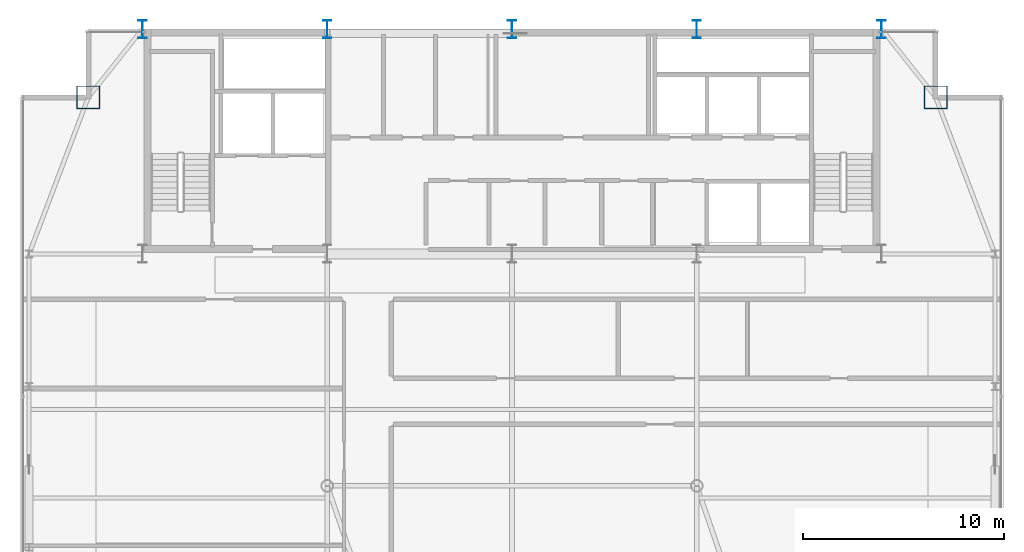
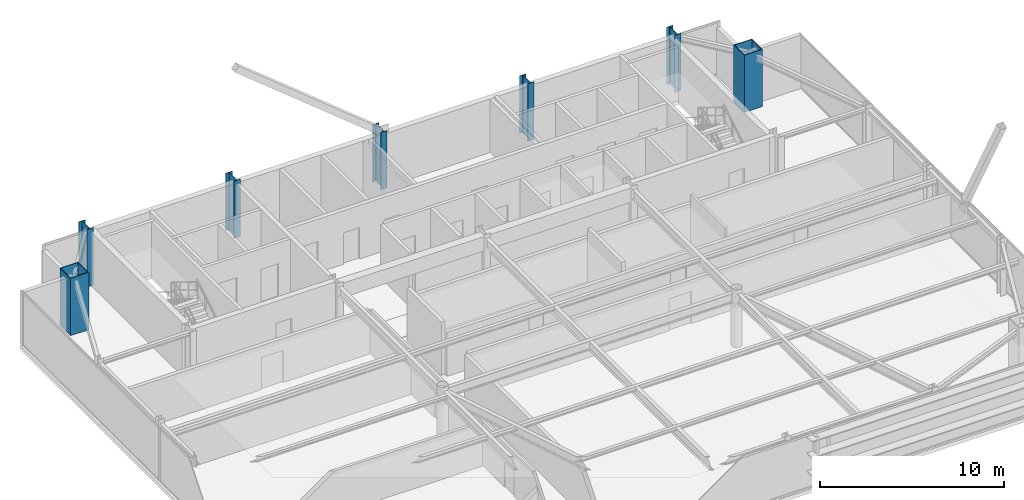
# One storey, part 3 of 26: 7 columns.
"""IFC4 building model written with IfcOpenShell, lengths in metres."""

from ifc_helpers import new_model, si_unit, direction, frame, origin, origin_2d, place, context, subcontext, project, spatial, hollow_rectangle, i_section, extrude, source, transform, mapped, material, material_profile, profile_set, type_object, type_shapes, element, save


model = new_model("IFC4")

# Units and contexts
model_context = context("Model", 3, precision=1e-05, world=origin(), true_north=direction((0.0, 1.0)))
body_context = subcontext(model_context, "Body", "Model", "MODEL_VIEW")
ifc_project = project(units=[si_unit("LENGTHUNIT", "METRE"), si_unit("AREAUNIT", "SQUARE_METRE"), si_unit("VOLUMEUNIT", "CUBIC_METRE"), si_unit("PLANEANGLEUNIT", "RADIAN"), si_unit("MASSUNIT", "GRAM", prefix="KILO")], contexts=[model_context])

# Site, building, storey
site_placement = place(None, origin())
site = spatial("IfcSite", under=ifc_project, at=site_placement, CompositionType="ELEMENT")
building_placement = place(site_placement, origin())
building = spatial("IfcBuilding", under=site, at=building_placement, Name="Varnel Quay Broadcast Tower", CompositionType="ELEMENT")
storey_placement = place(building_placement, frame((0.0, 0.0, 218.800048828125)))
storey = spatial("IfcBuildingStorey", under=building, at=storey_placement, Name="L54", CompositionType="ELEMENT", Elevation=218.800048828125)

# Columns
ifc_material = material(Name="Structural Steel CSA G40.21 350WT", Category="steel")
ifc_material_profile_1 = material_profile(ifc_material, i_section(OverallWidth=0.39990234375, OverallDepth=0.89990234375, WebThickness=0.01611328125, FlangeThickness=0.028076171875, FilletRadius=0.01611328125, at=origin_2d()), Name="WWF900X309")
ifc_profile_set_1 = profile_set([ifc_material_profile_1], Name="Structural Steel CSA G40.21 350WT")
column_type_1 = type_object("IfcColumnType", Name="Col_WWF900X309", PredefinedType="COLUMN", material=ifc_profile_set_1)
shared_shape_1 = source(origin(), body_context, "Body", "SweptSolid", [
    extrude(i_section(OverallWidth=0.39990234375, OverallDepth=0.89990234375, WebThickness=0.01611328125, FlangeThickness=0.028076171875, FilletRadius=0.01611328125, at=origin_2d()), origin(), (0.0, 0.0, 1.0), 3.800048828125),
])
type_shapes(column_type_1, [shared_shape_1])
for number, where, z_axis, x_axis, name in (
    (1, (15.60009765625, 46.800048828125, 0.0), (0.0, 0.0, 1.0), (1.0, 0.0, 0.0), "L54 Column CC-N1"),
    (2, (24.800048828125, 46.800048828125, 0.0), (0.0, 0.0, 1.0), (1.0, 0.0, 0.0), "L54 Column CC-N2"),
    (3, (34.0, 46.800048828125, 0.0), (0.0, 0.0, 1.0), (1.0, 0.0, 0.0), "L54 Column CC-N3"),
    (4, (43.199951171875, 46.800048828125, 0.0), (0.0, 0.0, 1.0), (1.0, 0.0, 0.0), "L54 Column CC-N4"),
    (5, (52.39990234375, 46.800048828125, 0.0), (0.0, 0.0, 1.0), (1.0, 0.0, 0.0), "L54 Column CC-N5"),
):
    element("IfcColumn", number, at=place(storey_placement, frame(where, z_axis=z_axis, x_axis=x_axis)), inside=storey, type_object=column_type_1, Name=name, PredefinedType="COLUMN", context=body_context, shape_type="MappedRepresentation", body=[
        mapped(shared_shape_1, transform((0.0, 0.0, 0.0), x_axis=(1.0, 0.0, 0.0), y_axis=(0.0, 1.0, 0.0), z_axis=(0.0, 0.0, 1.0), scale=1.0)),
    ])
ifc_material_profile_2 = material_profile(ifc_material, hollow_rectangle(XDim=1.14990234375, YDim=1.14990234375, WallThickness=0.044921875, at=origin_2d()), Name="BOX1150X1150X45")
ifc_profile_set_2 = profile_set([ifc_material_profile_2], Name="Structural Steel CSA G40.21 350WT")
column_type_2 = type_object("IfcColumnType", Name="Col_BOX1150X1150X45", PredefinedType="COLUMN", material=ifc_profile_set_2)
shared_shape_2 = source(origin(), body_context, "Body", "SweptSolid", [
    extrude(hollow_rectangle(XDim=1.14990234375, YDim=1.14990234375, WallThickness=0.044921875, at=origin_2d()), origin(), (0.0, 0.0, 1.0), 3.800048828125),
])
type_shapes(column_type_2, [shared_shape_2])
for number, where, z_axis, x_axis, name in (
    (6, (55.10009765625, 43.39990234375, 0.0), (0.0, 0.0, 1.0), (1.0, 0.0, 0.0), "L54 Column MC-NE"),
    (7, (12.89990234375, 43.39990234375, 0.0), (0.0, 0.0, 1.0), (1.0, 0.0, 0.0), "L54 Column MC-NW"),
):
    element("IfcColumn", number, at=place(storey_placement, frame(where, z_axis=z_axis, x_axis=x_axis)), inside=storey, type_object=column_type_2, Name=name, PredefinedType="COLUMN", context=body_context, shape_type="MappedRepresentation", body=[
        mapped(shared_shape_2, transform((0.0, 0.0, 0.0), x_axis=(1.0, 0.0, 0.0), y_axis=(0.0, 1.0, 0.0), z_axis=(0.0, 0.0, 1.0), scale=1.0)),
    ])

save(model, "model.ifc")
